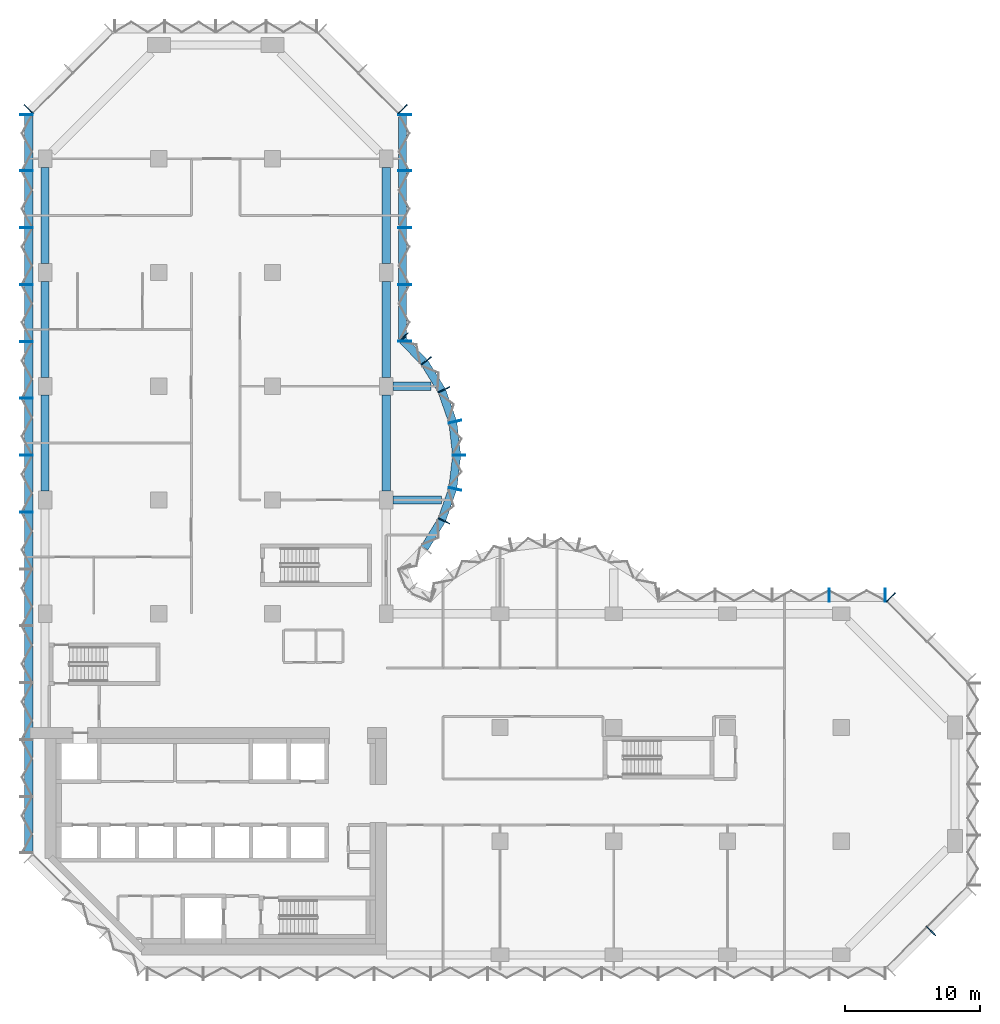
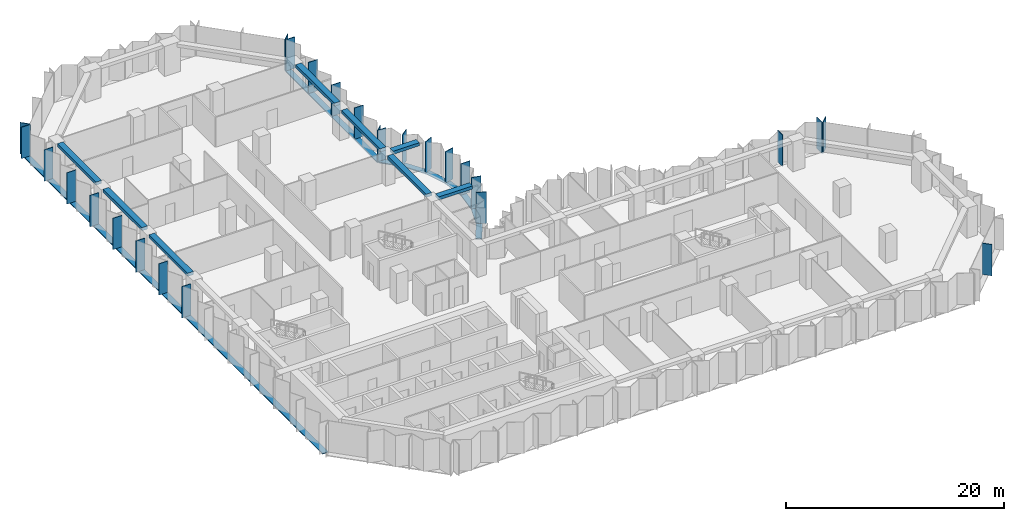
# One storey, part 3 of 13: 35 members, 8 beams, 8 elements without a shape of their own.
"""IFC4 building model written with IfcOpenShell, lengths in metres."""

from ifc_helpers import new_model, si_unit, direction, frame, origin, origin_2d, place, context, subcontext, project, spatial, rectangle, extrude, material, material_profile, profile_set, type_object, element, aggregate, save


model = new_model("IFC4")

# Units and contexts
model_context = context("Model", 3, precision=1e-05, world=origin(), true_north=direction((0.0, 1.0)))
body_context = subcontext(model_context, "Body", "Model", "MODEL_VIEW")
ifc_project = project(units=[si_unit("LENGTHUNIT", "METRE"), si_unit("AREAUNIT", "SQUARE_METRE"), si_unit("VOLUMEUNIT", "CUBIC_METRE"), si_unit("PLANEANGLEUNIT", "RADIAN"), si_unit("MASSUNIT", "GRAM", prefix="KILO")], contexts=[model_context])

# Site, building, storey
site_placement = place(None, origin())
site = spatial("IfcSite", under=ifc_project, at=site_placement, CompositionType="ELEMENT")
building_placement = place(site_placement, origin())
building = spatial("IfcBuilding", under=site, at=building_placement, Name="Brevane Broadcast Tower", CompositionType="ELEMENT")
storey_placement = place(building_placement, frame((0.0, 0.0, 120.5)))
storey = spatial("IfcBuildingStorey", under=building, at=storey_placement, Name="L29", CompositionType="ELEMENT", Elevation=120.5)

# Curtain wall, member
ifc_material_1 = material(Name="Aluminium 6063-T6 bronze anodised", Category="aluminium")
curtain_wall_type = type_object("IfcCurtainWallType", Name="CW-1 curtain wall", PredefinedType="NOTDEFINED", material=ifc_material_1)
curtain_wall_1_placement = place(storey_placement, origin())
curtain_wall_1 = element("IfcCurtainWall", 1, at=curtain_wall_1_placement, inside=storey, type_object=curtain_wall_type, Name="CW-1 typical tilted unit L29 south-east chamfer", PredefinedType="NOTDEFINED")
ifc_material_profile_1 = material_profile(ifc_material_1, rectangle(XDim=0.949951171875, YDim=0.070068359375, at=origin_2d()), Name="RECT 70x950")
ifc_profile_set_1 = profile_set([ifc_material_profile_1], Name="Aluminium 6063-T6 bronze anodised")
member_type_1 = type_object("IfcMemberType", Name="CW-1 mullion 70x950", PredefinedType="MULLION", material=ifc_profile_set_1)
member_1_placement = place(storey_placement, frame((65.435791015625, 1.76416015625, -0.14990234375), z_axis=(0.0, 0.0, 1.0), x_axis=(-0.707106781187, 0.707106781187, 0.0)))
member_1 = element("IfcMember", 2, at=member_1_placement, type_object=member_type_1, Name="CW-1 mullion", PredefinedType="MULLION", context=body_context, shape_type="SweptSolid", body=[
    extrude(rectangle(XDim=0.949951171875, YDim=0.070068359375, at=origin_2d()), origin(), (0.0, 0.0, 1.0), 3.5),
])
aggregate(curtain_wall_1, [member_1])

curtain_wall_2_placement = place(storey_placement, origin())
curtain_wall_2 = element("IfcCurtainWall", 3, at=curtain_wall_2_placement, inside=storey, type_object=curtain_wall_type, Name="CW-1 typical tilted unit L29 north-east chamfer", PredefinedType="NOTDEFINED")
member_2_placement = place(storey_placement, frame((62.460693359375, 26.4111328125, -0.14990234375), z_axis=(0.0, 0.0, 1.0), x_axis=(-0.707106781187, -0.707106781187, 0.0)))
member_2 = element("IfcMember", 4, at=member_2_placement, type_object=member_type_1, Name="CW-1 mullion", PredefinedType="MULLION", context=body_context, shape_type="SweptSolid", body=[
    extrude(rectangle(XDim=0.949951171875, YDim=0.070068359375, at=origin_2d()), origin(), (0.0, 0.0, 1.0), 3.5),
])
aggregate(curtain_wall_2, [member_2])

# Curtain wall, members
curtain_wall_3_placement = place(storey_placement, origin())
curtain_wall_3 = element("IfcCurtainWall", 5, at=curtain_wall_3_placement, inside=storey, type_object=curtain_wall_type, Name="CW-1 typical tilted unit L29 east arm north face", PredefinedType="NOTDEFINED")
member_3_placement = place(storey_placement, frame((62.06494140625, 26.574951171875, -0.14990234375), z_axis=(0.0, 0.0, 1.0), x_axis=(0.0, -1.0, 0.0)))
member_3 = element("IfcMember", 6, at=member_3_placement, type_object=member_type_1, Name="CW-1 mullion", PredefinedType="MULLION", context=body_context, shape_type="SweptSolid", body=[
    extrude(rectangle(XDim=0.949951171875, YDim=0.070068359375, at=origin_2d()), origin(), (0.0, 0.0, 1.0), 3.5),
])
member_4_placement = place(storey_placement, frame((57.89990234375, 26.574951171875, -0.14990234375), z_axis=(0.0, 0.0, 1.0), x_axis=(0.0, -1.0, 0.0)))
member_4 = element("IfcMember", 7, at=member_4_placement, type_object=member_type_1, Name="CW-1 mullion", PredefinedType="MULLION", context=body_context, shape_type="SweptSolid", body=[
    extrude(rectangle(XDim=0.949951171875, YDim=0.070068359375, at=origin_2d()), origin(), (0.0, 0.0, 1.0), 3.5),
])
aggregate(curtain_wall_3, [member_3, member_4])

curtain_wall_4_placement = place(storey_placement, origin())
curtain_wall_4 = element("IfcCurtainWall", 8, at=curtain_wall_4_placement, inside=storey, type_object=curtain_wall_type, Name="CW-1 typical tilted unit L29 north bow", PredefinedType="NOTDEFINED")
member_5_placement = place(storey_placement, frame((29.4580078125, 32.05322265625, -0.14990234375), z_axis=(0.0, 0.0, 1.0), x_axis=(-0.902860508933, 0.429933601163, 0.0)))
member_5 = element("IfcMember", 9, at=member_5_placement, type_object=member_type_1, Name="CW-1 mullion", PredefinedType="MULLION", context=body_context, shape_type="SweptSolid", body=[
    extrude(rectangle(XDim=0.949951171875, YDim=0.070068359375, at=origin_2d()), origin(), (0.0, 0.0, 1.0), 3.5),
])
member_6_placement = place(storey_placement, frame((30.28076171875, 34.411865234375, -0.14990234375), z_axis=(0.0, 0.0, 1.0), x_axis=(-0.974403430594, 0.224806482215, 0.0)))
member_6 = element("IfcMember", 10, at=member_6_placement, type_object=member_type_1, Name="CW-1 mullion", PredefinedType="MULLION", context=body_context, shape_type="SweptSolid", body=[
    extrude(rectangle(XDim=0.949951171875, YDim=0.070068359375, at=origin_2d()), origin(), (0.0, 0.0, 1.0), 3.5),
])
member_7_placement = place(storey_placement, frame((30.574951171875, 36.89990234375, -0.14990234375), z_axis=(0.0, 0.0, 1.0), x_axis=(-1.0, 0.0, 0.0)))
member_7 = element("IfcMember", 11, at=member_7_placement, type_object=member_type_1, Name="CW-1 mullion", PredefinedType="MULLION", context=body_context, shape_type="SweptSolid", body=[
    extrude(rectangle(XDim=0.949951171875, YDim=0.070068359375, at=origin_2d()), origin(), (0.0, 0.0, 1.0), 3.5),
])
member_8_placement = place(storey_placement, frame((30.28076171875, 39.38818359375, -0.14990234375), z_axis=(0.0, 0.0, 1.0), x_axis=(-0.974403430594, -0.224806482215, 0.0)))
member_8 = element("IfcMember", 12, at=member_8_placement, type_object=member_type_1, Name="CW-1 mullion", PredefinedType="MULLION", context=body_context, shape_type="SweptSolid", body=[
    extrude(rectangle(XDim=0.949951171875, YDim=0.070068359375, at=origin_2d()), origin(), (0.0, 0.0, 1.0), 3.5),
])
member_9_placement = place(storey_placement, frame((29.4580078125, 41.746826171875, -0.14990234375), z_axis=(0.0, 0.0, 1.0), x_axis=(-0.902860508933, -0.429933601163, 0.0)))
member_9 = element("IfcMember", 13, at=member_9_placement, type_object=member_type_1, Name="CW-1 mullion", PredefinedType="MULLION", context=body_context, shape_type="SweptSolid", body=[
    extrude(rectangle(XDim=0.949951171875, YDim=0.070068359375, at=origin_2d()), origin(), (0.0, 0.0, 1.0), 3.5),
])
member_10_placement = place(storey_placement, frame((28.1455078125, 43.8720703125, -0.14990234375), z_axis=(0.0, 0.0, 1.0), x_axis=(-0.788706642853, -0.614769738617, 0.0)))
member_10 = element("IfcMember", 14, at=member_10_placement, type_object=member_type_1, Name="CW-1 mullion", PredefinedType="MULLION", context=body_context, shape_type="SweptSolid", body=[
    extrude(rectangle(XDim=0.949951171875, YDim=0.070068359375, at=origin_2d()), origin(), (0.0, 0.0, 1.0), 3.5),
])
member_11_placement = place(storey_placement, frame((26.465087890625, 45.60595703125, -0.14990234375), z_axis=(0.0, 0.0, 1.0), x_axis=(-0.717253872699, -0.696811941702, 0.0)))
member_11 = element("IfcMember", 15, at=member_11_placement, type_object=member_type_1, Name="CW-1 mullion", PredefinedType="MULLION", context=body_context, shape_type="SweptSolid", body=[
    extrude(rectangle(XDim=0.949951171875, YDim=0.070068359375, at=origin_2d()), origin(), (0.0, 0.0, 1.0), 3.5),
])

curtain_wall_5_placement = place(storey_placement, origin())
curtain_wall_5 = element("IfcCurtainWall", 16, at=curtain_wall_5_placement, inside=storey, type_object=curtain_wall_type, Name="CW-1 typical tilted unit L29 north arm east face", PredefinedType="NOTDEFINED")
member_12_placement = place(storey_placement, frame((26.574951171875, 45.3349609375, -0.14990234375), z_axis=(0.0, 0.0, 1.0), x_axis=(-1.0, 0.0, 0.0)))
member_12 = element("IfcMember", 17, at=member_12_placement, type_object=member_type_1, Name="CW-1 mullion", PredefinedType="MULLION", context=body_context, shape_type="SweptSolid", body=[
    extrude(rectangle(XDim=0.949951171875, YDim=0.070068359375, at=origin_2d()), origin(), (0.0, 0.0, 1.0), 3.5),
])
member_13_placement = place(storey_placement, frame((26.574951171875, 49.5, -0.14990234375), z_axis=(0.0, 0.0, 1.0), x_axis=(-1.0, 0.0, 0.0)))
member_13 = element("IfcMember", 18, at=member_13_placement, type_object=member_type_1, Name="CW-1 mullion", PredefinedType="MULLION", context=body_context, shape_type="SweptSolid", body=[
    extrude(rectangle(XDim=0.949951171875, YDim=0.070068359375, at=origin_2d()), origin(), (0.0, 0.0, 1.0), 3.5),
])
member_14_placement = place(storey_placement, frame((26.574951171875, 53.699951171875, -0.14990234375), z_axis=(0.0, 0.0, 1.0), x_axis=(-1.0, 0.0, 0.0)))
member_14 = element("IfcMember", 19, at=member_14_placement, type_object=member_type_1, Name="CW-1 mullion", PredefinedType="MULLION", context=body_context, shape_type="SweptSolid", body=[
    extrude(rectangle(XDim=0.949951171875, YDim=0.070068359375, at=origin_2d()), origin(), (0.0, 0.0, 1.0), 3.5),
])
member_15_placement = place(storey_placement, frame((26.574951171875, 57.89990234375, -0.14990234375), z_axis=(0.0, 0.0, 1.0), x_axis=(-1.0, 0.0, 0.0)))
member_15 = element("IfcMember", 20, at=member_15_placement, type_object=member_type_1, Name="CW-1 mullion", PredefinedType="MULLION", context=body_context, shape_type="SweptSolid", body=[
    extrude(rectangle(XDim=0.949951171875, YDim=0.070068359375, at=origin_2d()), origin(), (0.0, 0.0, 1.0), 3.5),
])
member_16_placement = place(storey_placement, frame((26.574951171875, 62.06494140625, -0.14990234375), z_axis=(0.0, 0.0, 1.0), x_axis=(-1.0, 0.0, 0.0)))
member_16 = element("IfcMember", 21, at=member_16_placement, type_object=member_type_1, Name="CW-1 mullion", PredefinedType="MULLION", context=body_context, shape_type="SweptSolid", body=[
    extrude(rectangle(XDim=0.949951171875, YDim=0.070068359375, at=origin_2d()), origin(), (0.0, 0.0, 1.0), 3.5),
])

# Curtain wall, member
curtain_wall_6_placement = place(storey_placement, origin())
curtain_wall_6 = element("IfcCurtainWall", 22, at=curtain_wall_6_placement, inside=storey, type_object=curtain_wall_type, Name="CW-1 typical tilted unit L29 north arm north-east chamfer", PredefinedType="NOTDEFINED")
member_17_placement = place(storey_placement, frame((26.4111328125, 62.460693359375, -0.14990234375), z_axis=(0.0, 0.0, 1.0), x_axis=(-0.707106781187, -0.707106781187, 0.0)))
member_17 = element("IfcMember", 23, at=member_17_placement, type_object=member_type_1, Name="CW-1 mullion", PredefinedType="MULLION", context=body_context, shape_type="SweptSolid", body=[
    extrude(rectangle(XDim=0.949951171875, YDim=0.070068359375, at=origin_2d()), origin(), (0.0, 0.0, 1.0), 3.5),
])
aggregate(curtain_wall_6, [member_17])

curtain_wall_7_placement = place(storey_placement, origin())
curtain_wall_7 = element("IfcCurtainWall", 24, at=curtain_wall_7_placement, inside=storey, type_object=curtain_wall_type, Name="CW-1 typical tilted unit L29 north-west chamfer", PredefinedType="NOTDEFINED")
member_18_placement = place(storey_placement, frame((-1.211181640625, 62.460693359375, -0.14990234375), z_axis=(0.0, 0.0, 1.0), x_axis=(0.707106781187, -0.707106781187, 0.0)))
member_18 = element("IfcMember", 25, at=member_18_placement, type_object=member_type_1, Name="CW-1 mullion", PredefinedType="MULLION", context=body_context, shape_type="SweptSolid", body=[
    extrude(rectangle(XDim=0.949951171875, YDim=0.070068359375, at=origin_2d()), origin(), (0.0, 0.0, 1.0), 3.5),
])
aggregate(curtain_wall_7, [member_18])

# Curtain wall, members
curtain_wall_8_placement = place(storey_placement, origin())
curtain_wall_8 = element("IfcCurtainWall", 26, at=curtain_wall_8_placement, inside=storey, type_object=curtain_wall_type, Name="CW-1 typical tilted unit L29 west face", PredefinedType="NOTDEFINED")
member_19_placement = place(storey_placement, frame((-1.375, 62.06494140625, -0.14990234375), z_axis=(0.0, 0.0, 1.0), x_axis=(1.0, 0.0, 0.0)))
member_19 = element("IfcMember", 27, at=member_19_placement, type_object=member_type_1, Name="CW-1 mullion", PredefinedType="MULLION", context=body_context, shape_type="SweptSolid", body=[
    extrude(rectangle(XDim=0.949951171875, YDim=0.070068359375, at=origin_2d()), origin(), (0.0, 0.0, 1.0), 3.5),
])
member_20_placement = place(storey_placement, frame((-1.375, 57.89990234375, -0.14990234375), z_axis=(0.0, 0.0, 1.0), x_axis=(1.0, 0.0, 0.0)))
member_20 = element("IfcMember", 28, at=member_20_placement, type_object=member_type_1, Name="CW-1 mullion", PredefinedType="MULLION", context=body_context, shape_type="SweptSolid", body=[
    extrude(rectangle(XDim=0.949951171875, YDim=0.070068359375, at=origin_2d()), origin(), (0.0, 0.0, 1.0), 3.5),
])
member_21_placement = place(storey_placement, frame((-1.375, 53.699951171875, -0.14990234375), z_axis=(0.0, 0.0, 1.0), x_axis=(1.0, 0.0, 0.0)))
member_21 = element("IfcMember", 29, at=member_21_placement, type_object=member_type_1, Name="CW-1 mullion", PredefinedType="MULLION", context=body_context, shape_type="SweptSolid", body=[
    extrude(rectangle(XDim=0.949951171875, YDim=0.070068359375, at=origin_2d()), origin(), (0.0, 0.0, 1.0), 3.5),
])
member_22_placement = place(storey_placement, frame((-1.375, 49.5, -0.14990234375), z_axis=(0.0, 0.0, 1.0), x_axis=(1.0, 0.0, 0.0)))
member_22 = element("IfcMember", 30, at=member_22_placement, type_object=member_type_1, Name="CW-1 mullion", PredefinedType="MULLION", context=body_context, shape_type="SweptSolid", body=[
    extrude(rectangle(XDim=0.949951171875, YDim=0.070068359375, at=origin_2d()), origin(), (0.0, 0.0, 1.0), 3.5),
])
member_23_placement = place(storey_placement, frame((-1.375, 45.300048828125, -0.14990234375), z_axis=(0.0, 0.0, 1.0), x_axis=(1.0, 0.0, 0.0)))
member_23 = element("IfcMember", 31, at=member_23_placement, type_object=member_type_1, Name="CW-1 mullion", PredefinedType="MULLION", context=body_context, shape_type="SweptSolid", body=[
    extrude(rectangle(XDim=0.949951171875, YDim=0.070068359375, at=origin_2d()), origin(), (0.0, 0.0, 1.0), 3.5),
])
member_24_placement = place(storey_placement, frame((-1.375, 41.10009765625, -0.14990234375), z_axis=(0.0, 0.0, 1.0), x_axis=(1.0, 0.0, 0.0)))
member_24 = element("IfcMember", 32, at=member_24_placement, type_object=member_type_1, Name="CW-1 mullion", PredefinedType="MULLION", context=body_context, shape_type="SweptSolid", body=[
    extrude(rectangle(XDim=0.949951171875, YDim=0.070068359375, at=origin_2d()), origin(), (0.0, 0.0, 1.0), 3.5),
])
member_25_placement = place(storey_placement, frame((-1.375, 36.89990234375, -0.14990234375), z_axis=(0.0, 0.0, 1.0), x_axis=(1.0, 0.0, 0.0)))
member_25 = element("IfcMember", 33, at=member_25_placement, type_object=member_type_1, Name="CW-1 mullion", PredefinedType="MULLION", context=body_context, shape_type="SweptSolid", body=[
    extrude(rectangle(XDim=0.949951171875, YDim=0.070068359375, at=origin_2d()), origin(), (0.0, 0.0, 1.0), 3.5),
])
member_26_placement = place(storey_placement, frame((-1.375, 32.699951171875, -0.14990234375), z_axis=(0.0, 0.0, 1.0), x_axis=(1.0, 0.0, 0.0)))
member_26 = element("IfcMember", 34, at=member_26_placement, type_object=member_type_1, Name="CW-1 mullion", PredefinedType="MULLION", context=body_context, shape_type="SweptSolid", body=[
    extrude(rectangle(XDim=0.949951171875, YDim=0.070068359375, at=origin_2d()), origin(), (0.0, 0.0, 1.0), 3.5),
])

# Member
ifc_material_profile_2 = material_profile(ifc_material_1, rectangle(XDim=0.60009765625, YDim=0.10009765625, at=origin_2d()), Name="RECT 100x600")
ifc_profile_set_2 = profile_set([ifc_material_profile_2], Name="Aluminium 6063-T6 bronze anodised")
member_type_2 = type_object("IfcMemberType", Name="CW-1 transom 100x600", PredefinedType="USERDEFINED", material=ifc_profile_set_2)
member_27_placement = place(storey_placement, frame((28.023193359375, 30.0576171875, -0.199951171875), z_axis=(0.525427766759, 0.850838211365, 0.0), x_axis=(-0.850838211365, 0.525427766759, 0.0)))
member_27 = element("IfcMember", 35, at=member_27_placement, type_object=member_type_2, Name="CW-1 transom", ObjectType="TRANSOM", PredefinedType="USERDEFINED", context=body_context, shape_type="SweptSolid", body=[
    extrude(rectangle(XDim=0.60009765625, YDim=0.10009765625, at=origin_2d()), origin(), (0.0, 0.0, 1.0), 2.394775390625),
])

member_28_placement = place(storey_placement, frame((29.314208984375, 32.163818359375, -0.199951171875), z_axis=(0.329378497041, 0.944197969542, 0.0), x_axis=(-0.944197969542, 0.329378497041, 0.0)))
member_28 = element("IfcMember", 36, at=member_28_placement, type_object=member_type_2, Name="CW-1 transom", ObjectType="TRANSOM", PredefinedType="USERDEFINED", context=body_context, shape_type="SweptSolid", body=[
    extrude(rectangle(XDim=0.60009765625, YDim=0.10009765625, at=origin_2d()), origin(), (0.0, 0.0, 1.0), 2.394775390625),
])

member_29_placement = place(storey_placement, frame((30.117431640625, 34.499755859375, -0.199951171875), z_axis=(0.117603307202, 0.993060653805, 0.0), x_axis=(-0.993060653805, 0.117603307202, 0.0)))
member_29 = element("IfcMember", 37, at=member_29_placement, type_object=member_type_2, Name="CW-1 transom", ObjectType="TRANSOM", PredefinedType="USERDEFINED", context=body_context, shape_type="SweptSolid", body=[
    extrude(rectangle(XDim=0.60009765625, YDim=0.10009765625, at=origin_2d()), origin(), (0.0, 0.0, 1.0), 2.397705078125),
])

member_30_placement = place(storey_placement, frame((30.3994140625, 36.9189453125, -0.199951171875), z_axis=(-0.117591417, 0.993062061831, 0.0), x_axis=(-0.993062061831, -0.117591417, 0.0)))
member_30 = element("IfcMember", 38, at=member_30_placement, type_object=member_type_2, Name="CW-1 transom", ObjectType="TRANSOM", PredefinedType="USERDEFINED", context=body_context, shape_type="SweptSolid", body=[
    extrude(rectangle(XDim=0.60009765625, YDim=0.10009765625, at=origin_2d()), origin(), (0.0, 0.0, 1.0), 2.39794921875),
])

member_31_placement = place(storey_placement, frame((30.10302734375, 39.375, -0.199951171875), z_axis=(-0.329378497041, 0.944197969542, 0.0), x_axis=(-0.944197969542, -0.329378497041, 0.0)))
member_31 = element("IfcMember", 39, at=member_31_placement, type_object=member_type_2, Name="CW-1 transom", ObjectType="TRANSOM", PredefinedType="USERDEFINED", context=body_context, shape_type="SweptSolid", body=[
    extrude(rectangle(XDim=0.60009765625, YDim=0.10009765625, at=origin_2d()), origin(), (0.0, 0.0, 1.0), 2.394775390625),
])

member_32_placement = place(storey_placement, frame((29.281494140625, 41.704833984375, -0.199951171875), z_axis=(-0.525473345162, 0.850810063131, 0.0), x_axis=(-0.850810063131, -0.525473345162, 0.0)))
member_32 = element("IfcMember", 40, at=member_32_placement, type_object=member_type_2, Name="CW-1 transom", ObjectType="TRANSOM", PredefinedType="USERDEFINED", context=body_context, shape_type="SweptSolid", body=[
    extrude(rectangle(XDim=0.60009765625, YDim=0.10009765625, at=origin_2d()), origin(), (0.0, 0.0, 1.0), 2.39453125),
])

member_33_placement = place(storey_placement, frame((27.974365234375, 43.800537109375, -0.199951171875), z_axis=(-0.696823999134, 0.71724215871, 0.0), x_axis=(-0.71724215871, -0.696823999134, 0.0)))
member_33 = element("IfcMember", 41, at=member_33_placement, type_object=member_type_2, Name="CW-1 transom", ObjectType="TRANSOM", PredefinedType="USERDEFINED", context=body_context, shape_type="SweptSolid", body=[
    extrude(rectangle(XDim=0.60009765625, YDim=0.10009765625, at=origin_2d()), origin(), (0.0, 0.0, 1.0), 2.247802734375),
])

aggregate(curtain_wall_4, [member_5, member_6, member_7, member_8, member_9, member_10, member_11, member_27, member_28, member_29, member_30, member_31, member_32, member_33])

member_34_placement = place(storey_placement, frame((26.39990234375, 45.300048828125, -0.199951171875), z_axis=(0.0, 1.0, 0.0), x_axis=(-1.0, 0.0, 0.0)))
member_34 = element("IfcMember", 42, at=member_34_placement, type_object=member_type_2, Name="CW-1 transom", ObjectType="TRANSOM", PredefinedType="USERDEFINED", context=body_context, shape_type="SweptSolid", body=[
    extrude(rectangle(XDim=0.60009765625, YDim=0.10009765625, at=origin_2d()), origin(), (0.0, 0.0, 1.0), 16.800048828125),
])

aggregate(curtain_wall_5, [member_12, member_13, member_14, member_15, member_16, member_34])

member_35_placement = place(storey_placement, frame((-1.199951171875, 62.10009765625, -0.199951171875), z_axis=(0.0, -1.0, 0.0), x_axis=(1.0, 0.0, 0.0)))
member_35 = element("IfcMember", 43, at=member_35_placement, type_object=member_type_2, Name="CW-1 transom", ObjectType="TRANSOM", PredefinedType="USERDEFINED", context=body_context, shape_type="SweptSolid", body=[
    extrude(rectangle(XDim=0.60009765625, YDim=0.10009765625, at=origin_2d()), origin(), (0.0, 0.0, 1.0), 54.60009765625),
])

aggregate(curtain_wall_8, [member_19, member_20, member_21, member_22, member_23, member_24, member_25, member_26, member_35])

# Beams
ifc_material_2 = material(Name="Concrete C40/50", Category="concrete")
ifc_material_profile_3 = material_profile(ifc_material_2, rectangle(XDim=0.60009765625, YDim=0.35009765625, at=origin_2d()), Name="RC 600x350")
ifc_profile_set_3 = profile_set([ifc_material_profile_3], Name="Concrete C40/50")
beam_type_1 = type_object("IfcBeamType", Name="RC BRACKET BEAM 600x350 C40/50", PredefinedType="BEAM", material=ifc_profile_set_3)
beam_1_placement = place(storey_placement, frame((25.699951171875, 33.60009765625, 3.175048828125), z_axis=(1.0, 0.0, 0.0), x_axis=(0.0, 1.0, 0.0)))
element("IfcBeam", 44, at=beam_1_placement, inside=storey, type_object=beam_type_1, Name="EB2 L29-1", PredefinedType="BEAM", context=body_context, shape_type="SweptSolid", body=[
    extrude(rectangle(XDim=0.60009765625, YDim=0.35009765625, at=origin_2d()), origin(), (0.0, 0.0, 1.0), 3.56201171875),
])
beam_2_placement = place(storey_placement, frame((25.699951171875, 42.0, 3.175048828125), z_axis=(1.0, 0.0, 0.0), x_axis=(0.0, 1.0, 0.0)))
element("IfcBeam", 45, at=beam_2_placement, inside=storey, type_object=beam_type_1, Name="EB2 L29-2", PredefinedType="BEAM", context=body_context, shape_type="SweptSolid", body=[
    extrude(rectangle(XDim=0.60009765625, YDim=0.35009765625, at=origin_2d()), origin(), (0.0, 0.0, 1.0), 2.8115234375),
])
ifc_material_profile_4 = material_profile(ifc_material_2, rectangle(XDim=0.60009765625, YDim=0.35009765625, at=origin_2d()), Name="RC 600x350")
ifc_profile_set_4 = profile_set([ifc_material_profile_4], Name="Concrete C40/50")
beam_type_2 = type_object("IfcBeamType", Name="RC SPANDREL BEAM 600x350 C40/50", PredefinedType="SPANDREL", material=ifc_profile_set_4)
for number, where, z_axis, x_axis, name in (
    (46, (25.199951171875, 34.25, 3.175048828125), (0.0, 1.0, 0.0), (-1.0, 0.0, 0.0), "EB1 L29-13"),
    (47, (25.199951171875, 42.64990234375, 3.175048828125), (0.0, 1.0, 0.0), (-1.0, 0.0, 0.0), "EB1 L29-14"),
):
    element("IfcBeam", number, at=place(storey_placement, frame(where, z_axis=z_axis, x_axis=x_axis)), inside=storey, type_object=beam_type_2, Name=name, PredefinedType="SPANDREL", context=body_context, shape_type="SweptSolid", body=[
        extrude(rectangle(XDim=0.60009765625, YDim=0.35009765625, at=origin_2d()), origin(), (0.0, 0.0, 1.0), 7.10009765625),
    ])
for number, where, z_axis, x_axis, name in (
    (48, (25.199951171875, 51.050048828125, 3.175048828125), (0.0, 1.0, 0.0), (-1.0, 0.0, 0.0), "EB1 L29-15"),
    (49, (0.0, 58.14990234375, 3.175048828125), (0.0, -1.0, 0.0), (1.0, 0.0, 0.0), "EB1 L29-19"),
):
    element("IfcBeam", number, at=place(storey_placement, frame(where, z_axis=z_axis, x_axis=x_axis)), inside=storey, type_object=beam_type_2, Name=name, PredefinedType="SPANDREL", context=body_context, shape_type="SweptSolid", body=[
        extrude(rectangle(XDim=0.60009765625, YDim=0.35009765625, at=origin_2d()), origin(), (0.0, 0.0, 1.0), 7.099853515625),
    ])
for number, where, z_axis, x_axis, name in (
    (50, (0.0, 49.75, 3.175048828125), (0.0, -1.0, 0.0), (1.0, 0.0, 0.0), "EB1 L29-20"),
    (51, (0.0, 41.35009765625, 3.175048828125), (0.0, -1.0, 0.0), (1.0, 0.0, 0.0), "EB1 L29-21"),
):
    element("IfcBeam", number, at=place(storey_placement, frame(where, z_axis=z_axis, x_axis=x_axis)), inside=storey, type_object=beam_type_2, Name=name, PredefinedType="SPANDREL", context=body_context, shape_type="SweptSolid", body=[
        extrude(rectangle(XDim=0.60009765625, YDim=0.35009765625, at=origin_2d()), origin(), (0.0, 0.0, 1.0), 7.10009765625),
    ])

save(model, "model.ifc")
